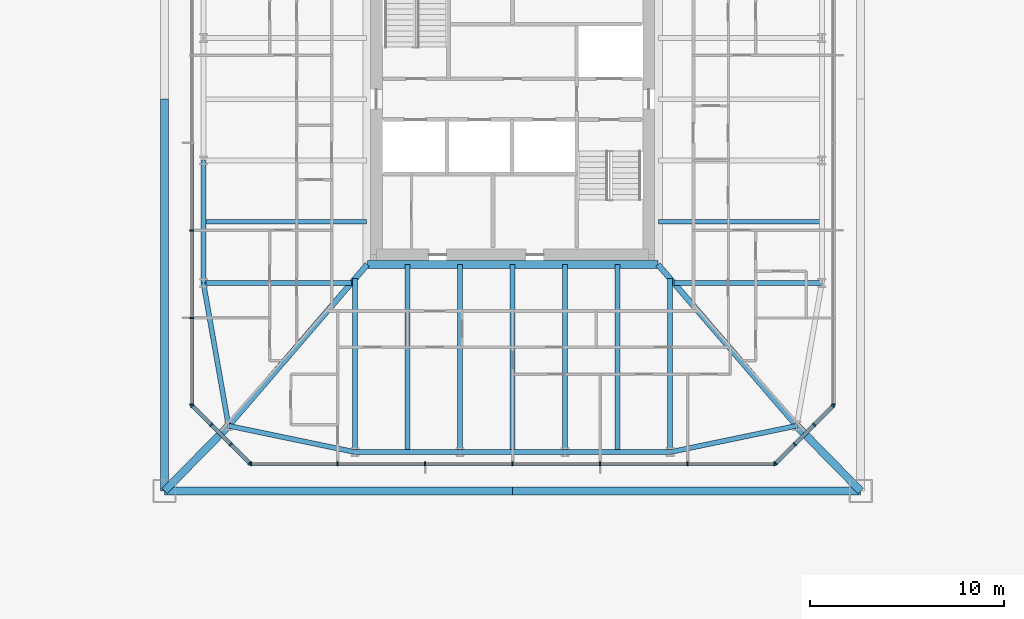
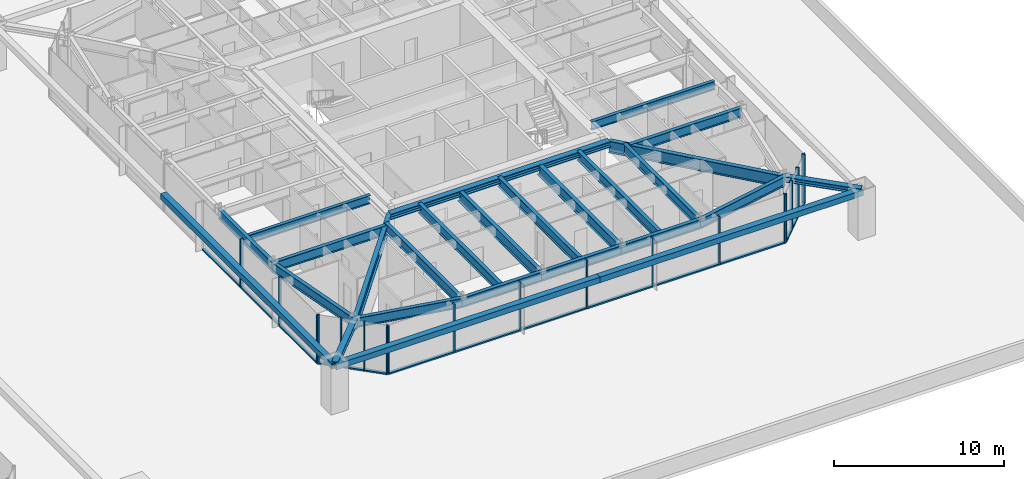
# One storey, part 9 of 31: 39 members, 21 beams, 5 elements without a shape of their own.
"""IFC4 building model written with IfcOpenShell, lengths in metres."""

from ifc_helpers import new_model, si_unit, direction, frame, origin, origin_2d, place, context, subcontext, project, spatial, rectangle, hollow_rectangle, i_section, extrude, material, material_profile, profile_set, type_object, element, aggregate, save


model = new_model("IFC4")

# Units and contexts
model_context = context("Model", 3, precision=1e-05, world=origin(), true_north=direction((0.0, 1.0)))
body_context = subcontext(model_context, "Body", "Model", "MODEL_VIEW")
ifc_project = project(units=[si_unit("LENGTHUNIT", "METRE"), si_unit("AREAUNIT", "SQUARE_METRE"), si_unit("VOLUMEUNIT", "CUBIC_METRE"), si_unit("PLANEANGLEUNIT", "RADIAN"), si_unit("MASSUNIT", "GRAM", prefix="KILO")], contexts=[model_context])

# Site, building, storey
site_placement = place(None, origin())
site = spatial("IfcSite", under=ifc_project, at=site_placement, CompositionType="ELEMENT")
building_placement = place(site_placement, origin())
building = spatial("IfcBuilding", under=site, at=building_placement, Name="Iwan Alto Co-Living Towers", CompositionType="ELEMENT")
storey_placement = place(building_placement, frame((0.0, 0.0, 15.0)))
storey = spatial("IfcBuildingStorey", under=building, at=storey_placement, Name="L03", CompositionType="ELEMENT", Elevation=15.0)

# Curtain wall, members
ifc_material_1 = material(Name="Bronze aluminium unitised frame", Category="aluminium")
curtain_wall_type_1 = type_object("IfcCurtainWallType", Name="CURTAIN WALL CW-C", PredefinedType="NOTDEFINED", material=ifc_material_1)
curtain_wall_1_placement = place(storey_placement, origin())
curtain_wall_1 = element("IfcCurtainWall", 1, at=curtain_wall_1_placement, inside=storey, type_object=curtain_wall_type_1, Name="T2 curtain wall S L03", PredefinedType="NOTDEFINED")
ifc_material_2 = material(Name="Aluminium 6063-T6 bronze anodised", Category="aluminium")
ifc_material_profile_1 = material_profile(ifc_material_2, rectangle(XDim=0.199951171875, YDim=0.080078125, at=origin_2d()), Name="AL 80X200")
ifc_profile_set_1 = profile_set([ifc_material_profile_1], Name="Aluminium 6063-T6 bronze anodised")
member_type_1 = type_object("IfcMemberType", Name="CW-C MULLION 80X200", PredefinedType="MULLION", material=ifc_profile_set_1)
member_1_placement = place(storey_placement, frame((49.5400390625, -18.75, 0.0), z_axis=(0.0, 0.0, 1.0), x_axis=(0.0, 1.0, 0.0)))
member_1 = element("IfcMember", 2, at=member_1_placement, type_object=member_type_1, Name="CW-C mullion 1", PredefinedType="MULLION", context=body_context, shape_type="SweptSolid", body=[
    extrude(rectangle(XDim=0.199951171875, YDim=0.080078125, at=origin_2d()), origin(), (0.0, 0.0, 1.0), 3.5),
])
member_2_placement = place(storey_placement, frame((54.0, -18.75, 0.0), z_axis=(0.0, 0.0, 1.0), x_axis=(0.0, 1.0, 0.0)))
member_2 = element("IfcMember", 3, at=member_2_placement, type_object=member_type_1, Name="CW-C mullion 2", PredefinedType="MULLION", context=body_context, shape_type="SweptSolid", body=[
    extrude(rectangle(XDim=0.199951171875, YDim=0.080078125, at=origin_2d()), origin(), (0.0, 0.0, 1.0), 3.5),
])
member_3_placement = place(storey_placement, frame((58.5, -18.75, 0.0), z_axis=(0.0, 0.0, 1.0), x_axis=(0.0, 1.0, 0.0)))
member_3 = element("IfcMember", 4, at=member_3_placement, type_object=member_type_1, Name="CW-C mullion 3", PredefinedType="MULLION", context=body_context, shape_type="SweptSolid", body=[
    extrude(rectangle(XDim=0.199951171875, YDim=0.080078125, at=origin_2d()), origin(), (0.0, 0.0, 1.0), 3.5),
])
member_4_placement = place(storey_placement, frame((63.0, -18.75, 0.0), z_axis=(0.0, 0.0, 1.0), x_axis=(0.0, 1.0, 0.0)))
member_4 = element("IfcMember", 5, at=member_4_placement, type_object=member_type_1, Name="CW-C mullion 4", PredefinedType="MULLION", context=body_context, shape_type="SweptSolid", body=[
    extrude(rectangle(XDim=0.199951171875, YDim=0.080078125, at=origin_2d()), origin(), (0.0, 0.0, 1.0), 3.5),
])
member_5_placement = place(storey_placement, frame((67.5, -18.75, 0.0), z_axis=(0.0, 0.0, 1.0), x_axis=(0.0, 1.0, 0.0)))
member_5 = element("IfcMember", 6, at=member_5_placement, type_object=member_type_1, Name="CW-C mullion 5", PredefinedType="MULLION", context=body_context, shape_type="SweptSolid", body=[
    extrude(rectangle(XDim=0.199951171875, YDim=0.080078125, at=origin_2d()), origin(), (0.0, 0.0, 1.0), 3.5),
])
member_6_placement = place(storey_placement, frame((72.0, -18.75, 0.0), z_axis=(0.0, 0.0, 1.0), x_axis=(0.0, 1.0, 0.0)))
member_6 = element("IfcMember", 7, at=member_6_placement, type_object=member_type_1, Name="CW-C mullion 6", PredefinedType="MULLION", context=body_context, shape_type="SweptSolid", body=[
    extrude(rectangle(XDim=0.199951171875, YDim=0.080078125, at=origin_2d()), origin(), (0.0, 0.0, 1.0), 3.5),
])
member_7_placement = place(storey_placement, frame((76.4599609375, -18.75, 0.0), z_axis=(0.0, 0.0, 1.0), x_axis=(0.0, 1.0, 0.0)))
member_7 = element("IfcMember", 8, at=member_7_placement, type_object=member_type_1, Name="CW-C mullion 7", PredefinedType="MULLION", context=body_context, shape_type="SweptSolid", body=[
    extrude(rectangle(XDim=0.199951171875, YDim=0.080078125, at=origin_2d()), origin(), (0.0, 0.0, 1.0), 3.5),
])

# Curtain wall, member
curtain_wall_2_placement = place(storey_placement, origin())
curtain_wall_2 = element("IfcCurtainWall", 9, at=curtain_wall_2_placement, inside=storey, type_object=curtain_wall_type_1, Name="T2 curtain wall E L03", PredefinedType="NOTDEFINED")
member_8_placement = place(storey_placement, frame((79.5, -15.7099609375, 0.0), z_axis=(0.0, 0.0, 1.0), x_axis=(-1.0, 0.0, 0.0)))
member_8 = element("IfcMember", 10, at=member_8_placement, type_object=member_type_1, Name="CW-C mullion 1", PredefinedType="MULLION", context=body_context, shape_type="SweptSolid", body=[
    extrude(rectangle(XDim=0.199951171875, YDim=0.080078125, at=origin_2d()), origin(), (0.0, 0.0, 1.0), 3.5),
])
aggregate(curtain_wall_2, [member_8])

# Curtain wall, members
curtain_wall_3_placement = place(storey_placement, origin())
curtain_wall_3 = element("IfcCurtainWall", 11, at=curtain_wall_3_placement, inside=storey, type_object=curtain_wall_type_1, Name="T2 curtain wall W L03", PredefinedType="NOTDEFINED")
member_9_placement = place(storey_placement, frame((46.5, -6.75, 0.0), z_axis=(0.0, 0.0, 1.0), x_axis=(1.0, 0.0, 0.0)))
member_9 = element("IfcMember", 12, at=member_9_placement, type_object=member_type_1, Name="CW-C mullion 6", PredefinedType="MULLION", context=body_context, shape_type="SweptSolid", body=[
    extrude(rectangle(XDim=0.199951171875, YDim=0.080078125, at=origin_2d()), origin(), (0.0, 0.0, 1.0), 3.5),
])
member_10_placement = place(storey_placement, frame((46.5, -11.25, 0.0), z_axis=(0.0, 0.0, 1.0), x_axis=(1.0, 0.0, 0.0)))
member_10 = element("IfcMember", 13, at=member_10_placement, type_object=member_type_1, Name="CW-C mullion 7", PredefinedType="MULLION", context=body_context, shape_type="SweptSolid", body=[
    extrude(rectangle(XDim=0.199951171875, YDim=0.080078125, at=origin_2d()), origin(), (0.0, 0.0, 1.0), 3.5),
])
member_11_placement = place(storey_placement, frame((46.5, -15.7099609375, 0.0), z_axis=(0.0, 0.0, 1.0), x_axis=(1.0, 0.0, 0.0)))
member_11 = element("IfcMember", 14, at=member_11_placement, type_object=member_type_1, Name="CW-C mullion 8", PredefinedType="MULLION", context=body_context, shape_type="SweptSolid", body=[
    extrude(rectangle(XDim=0.199951171875, YDim=0.080078125, at=origin_2d()), origin(), (0.0, 0.0, 1.0), 3.5),
])

# Member
ifc_material_3 = material(Name="Aluminium 6063-T6 bronze anodised", Category="aluminium")
ifc_material_profile_2 = material_profile(ifc_material_3, rectangle(XDim=0.199951171875, YDim=0.10009765625, at=origin_2d()), Name="AL 200X100")
ifc_profile_set_2 = profile_set([ifc_material_profile_2], Name="Aluminium 6063-T6 bronze anodised")
member_type_2 = type_object("IfcMemberType", Name="CW-C TRANSOM 200X100", PredefinedType="USERDEFINED", material=ifc_profile_set_2)
member_12_placement = place(storey_placement, frame((49.580078125, -18.75, 0.050048828125), z_axis=(1.0, 0.0, 0.0), x_axis=(0.0, 1.0, 0.0)))
member_12 = element("IfcMember", 15, at=member_12_placement, type_object=member_type_2, Name="CW-C transom 1.1", ObjectType="TRANSOM", PredefinedType="USERDEFINED", context=body_context, shape_type="SweptSolid", body=[
    extrude(rectangle(XDim=0.199951171875, YDim=0.10009765625, at=origin_2d()), origin(), (0.0, 0.0, 1.0), 4.3798828125),
])

member_13_placement = place(storey_placement, frame((54.0400390625, -18.75, 0.050048828125), z_axis=(1.0, 0.0, 0.0), x_axis=(0.0, 1.0, 0.0)))
member_13 = element("IfcMember", 16, at=member_13_placement, type_object=member_type_2, Name="CW-C transom 2.1", ObjectType="TRANSOM", PredefinedType="USERDEFINED", context=body_context, shape_type="SweptSolid", body=[
    extrude(rectangle(XDim=0.199951171875, YDim=0.10009765625, at=origin_2d()), origin(), (0.0, 0.0, 1.0), 4.419921875),
])

member_14_placement = place(storey_placement, frame((58.5400390625, -18.75, 0.050048828125), z_axis=(1.0, 0.0, 0.0), x_axis=(0.0, 1.0, 0.0)))
member_14 = element("IfcMember", 17, at=member_14_placement, type_object=member_type_2, Name="CW-C transom 3.1", ObjectType="TRANSOM", PredefinedType="USERDEFINED", context=body_context, shape_type="SweptSolid", body=[
    extrude(rectangle(XDim=0.199951171875, YDim=0.10009765625, at=origin_2d()), origin(), (0.0, 0.0, 1.0), 4.419921875),
])

member_15_placement = place(storey_placement, frame((63.0400390625, -18.75, 0.050048828125), z_axis=(1.0, 0.0, 0.0), x_axis=(0.0, 1.0, 0.0)))
member_15 = element("IfcMember", 18, at=member_15_placement, type_object=member_type_2, Name="CW-C transom 4.1", ObjectType="TRANSOM", PredefinedType="USERDEFINED", context=body_context, shape_type="SweptSolid", body=[
    extrude(rectangle(XDim=0.199951171875, YDim=0.10009765625, at=origin_2d()), origin(), (0.0, 0.0, 1.0), 4.419921875),
])

member_16_placement = place(storey_placement, frame((67.5400390625, -18.75, 0.050048828125), z_axis=(1.0, 0.0, 0.0), x_axis=(0.0, 1.0, 0.0)))
member_16 = element("IfcMember", 19, at=member_16_placement, type_object=member_type_2, Name="CW-C transom 5.1", ObjectType="TRANSOM", PredefinedType="USERDEFINED", context=body_context, shape_type="SweptSolid", body=[
    extrude(rectangle(XDim=0.199951171875, YDim=0.10009765625, at=origin_2d()), origin(), (0.0, 0.0, 1.0), 4.419921875),
])

member_17_placement = place(storey_placement, frame((72.0400390625, -18.75, 0.050048828125), z_axis=(1.0, 0.0, 0.0), x_axis=(0.0, 1.0, 0.0)))
member_17 = element("IfcMember", 20, at=member_17_placement, type_object=member_type_2, Name="CW-C transom 6.1", ObjectType="TRANSOM", PredefinedType="USERDEFINED", context=body_context, shape_type="SweptSolid", body=[
    extrude(rectangle(XDim=0.199951171875, YDim=0.10009765625, at=origin_2d()), origin(), (0.0, 0.0, 1.0), 4.3798828125),
])

aggregate(curtain_wall_1, [member_1, member_2, member_3, member_4, member_5, member_6, member_7, member_12, member_13, member_14, member_15, member_16, member_17])

member_18_placement = place(storey_placement, frame((46.5, -2.2900390625, 0.050048828125), z_axis=(0.0, -1.0, 0.0), x_axis=(1.0, 0.0, 0.0)))
member_18 = element("IfcMember", 21, at=member_18_placement, type_object=member_type_2, Name="CW-C transom 5.1", ObjectType="TRANSOM", PredefinedType="USERDEFINED", context=body_context, shape_type="SweptSolid", body=[
    extrude(rectangle(XDim=0.199951171875, YDim=0.10009765625, at=origin_2d()), origin(), (0.0, 0.0, 1.0), 4.419921875),
])

member_19_placement = place(storey_placement, frame((46.5, -6.7900390625, 0.050048828125), z_axis=(0.0, -1.0, 0.0), x_axis=(1.0, 0.0, 0.0)))
member_19 = element("IfcMember", 22, at=member_19_placement, type_object=member_type_2, Name="CW-C transom 6.1", ObjectType="TRANSOM", PredefinedType="USERDEFINED", context=body_context, shape_type="SweptSolid", body=[
    extrude(rectangle(XDim=0.199951171875, YDim=0.10009765625, at=origin_2d()), origin(), (0.0, 0.0, 1.0), 4.419921875),
])

member_20_placement = place(storey_placement, frame((46.5, -11.2900390625, 0.050048828125), z_axis=(0.0, -1.0, 0.0), x_axis=(1.0, 0.0, 0.0)))
member_20 = element("IfcMember", 23, at=member_20_placement, type_object=member_type_2, Name="CW-C transom 7.1", ObjectType="TRANSOM", PredefinedType="USERDEFINED", context=body_context, shape_type="SweptSolid", body=[
    extrude(rectangle(XDim=0.199951171875, YDim=0.10009765625, at=origin_2d()), origin(), (0.0, 0.0, 1.0), 4.3798828125),
])

aggregate(curtain_wall_3, [member_9, member_10, member_11, member_18, member_19, member_20])

# Curtain wall, members
ifc_material_4 = material(Name="Bronze aluminium unitised frame", Category="aluminium")
curtain_wall_type_2 = type_object("IfcCurtainWallType", Name="CURTAIN WALL CW-D", PredefinedType="NOTDEFINED", material=ifc_material_4)
curtain_wall_4_placement = place(storey_placement, origin())
curtain_wall_4 = element("IfcCurtainWall", 24, at=curtain_wall_4_placement, inside=storey, type_object=curtain_wall_type_2, Name="T2 chamfer curtain wall SE L03", PredefinedType="NOTDEFINED")
ifc_material_5 = material(Name="Aluminium 6063-T6 bronze anodised", Category="aluminium")
ifc_material_profile_3 = material_profile(ifc_material_5, rectangle(XDim=0.199951171875, YDim=0.080078125, at=origin_2d()), Name="AL 80X200")
ifc_profile_set_3 = profile_set([ifc_material_profile_3], Name="Aluminium 6063-T6 bronze anodised")
member_type_3 = type_object("IfcMemberType", Name="CW-D MULLION 80X200", PredefinedType="MULLION", material=ifc_profile_set_3)
member_21_placement = place(storey_placement, frame((76.5283203125, -18.7216796875, 0.0), z_axis=(0.0, 0.0, 1.0), x_axis=(-0.707106781187, 0.707106781187, 0.0)))
member_21 = element("IfcMember", 25, at=member_21_placement, type_object=member_type_3, Name="CW-D mullion 1", PredefinedType="MULLION", context=body_context, shape_type="SweptSolid", body=[
    extrude(rectangle(XDim=0.199951171875, YDim=0.080078125, at=origin_2d()), origin(), (0.0, 0.0, 1.0), 3.5),
])
member_22_placement = place(storey_placement, frame((77.5, -17.75, 0.0), z_axis=(0.0, 0.0, 1.0), x_axis=(-0.707106781187, 0.707106781187, 0.0)))
member_22 = element("IfcMember", 26, at=member_22_placement, type_object=member_type_3, Name="CW-D mullion 2", PredefinedType="MULLION", context=body_context, shape_type="SweptSolid", body=[
    extrude(rectangle(XDim=0.199951171875, YDim=0.080078125, at=origin_2d()), origin(), (0.0, 0.0, 1.0), 3.5),
])
member_23_placement = place(storey_placement, frame((78.5, -16.75, 0.0), z_axis=(0.0, 0.0, 1.0), x_axis=(-0.707106781187, 0.707106781187, 0.0)))
member_23 = element("IfcMember", 27, at=member_23_placement, type_object=member_type_3, Name="CW-D mullion 3", PredefinedType="MULLION", context=body_context, shape_type="SweptSolid", body=[
    extrude(rectangle(XDim=0.199951171875, YDim=0.080078125, at=origin_2d()), origin(), (0.0, 0.0, 1.0), 3.5),
])
member_24_placement = place(storey_placement, frame((79.4716796875, -15.7783203125, 0.0), z_axis=(0.0, 0.0, 1.0), x_axis=(-0.707106781187, 0.707106781187, 0.0)))
member_24 = element("IfcMember", 28, at=member_24_placement, type_object=member_type_3, Name="CW-D mullion 4", PredefinedType="MULLION", context=body_context, shape_type="SweptSolid", body=[
    extrude(rectangle(XDim=0.199951171875, YDim=0.080078125, at=origin_2d()), origin(), (0.0, 0.0, 1.0), 3.5),
])

curtain_wall_5_placement = place(storey_placement, origin())
curtain_wall_5 = element("IfcCurtainWall", 29, at=curtain_wall_5_placement, inside=storey, type_object=curtain_wall_type_2, Name="T2 chamfer curtain wall SW L03", PredefinedType="NOTDEFINED")
member_25_placement = place(storey_placement, frame((46.5283203125, -15.7783203125, 0.0), z_axis=(0.0, 0.0, 1.0), x_axis=(0.707106781187, 0.707106781187, 0.0)))
member_25 = element("IfcMember", 30, at=member_25_placement, type_object=member_type_3, Name="CW-D mullion 1", PredefinedType="MULLION", context=body_context, shape_type="SweptSolid", body=[
    extrude(rectangle(XDim=0.199951171875, YDim=0.080078125, at=origin_2d()), origin(), (0.0, 0.0, 1.0), 3.5),
])
member_26_placement = place(storey_placement, frame((47.5, -16.75, 0.0), z_axis=(0.0, 0.0, 1.0), x_axis=(0.707106781187, 0.707106781187, 0.0)))
member_26 = element("IfcMember", 31, at=member_26_placement, type_object=member_type_3, Name="CW-D mullion 2", PredefinedType="MULLION", context=body_context, shape_type="SweptSolid", body=[
    extrude(rectangle(XDim=0.199951171875, YDim=0.080078125, at=origin_2d()), origin(), (0.0, 0.0, 1.0), 3.5),
])
member_27_placement = place(storey_placement, frame((48.5, -17.75, 0.0), z_axis=(0.0, 0.0, 1.0), x_axis=(0.707106781187, 0.707106781187, 0.0)))
member_27 = element("IfcMember", 32, at=member_27_placement, type_object=member_type_3, Name="CW-D mullion 3", PredefinedType="MULLION", context=body_context, shape_type="SweptSolid", body=[
    extrude(rectangle(XDim=0.199951171875, YDim=0.080078125, at=origin_2d()), origin(), (0.0, 0.0, 1.0), 3.5),
])
member_28_placement = place(storey_placement, frame((49.4716796875, -18.7216796875, 0.0), z_axis=(0.0, 0.0, 1.0), x_axis=(0.707106781187, 0.707106781187, 0.0)))
member_28 = element("IfcMember", 33, at=member_28_placement, type_object=member_type_3, Name="CW-D mullion 4", PredefinedType="MULLION", context=body_context, shape_type="SweptSolid", body=[
    extrude(rectangle(XDim=0.199951171875, YDim=0.080078125, at=origin_2d()), origin(), (0.0, 0.0, 1.0), 3.5),
])

# Member
ifc_material_6 = material(Name="Aluminium 6063-T6 bronze anodised", Category="aluminium")
ifc_material_profile_4 = material_profile(ifc_material_6, rectangle(XDim=0.199951171875, YDim=0.10009765625, at=origin_2d()), Name="AL 200X100")
ifc_profile_set_4 = profile_set([ifc_material_profile_4], Name="Aluminium 6063-T6 bronze anodised")
member_type_4 = type_object("IfcMemberType", Name="CW-D TRANSOM 200X100", PredefinedType="USERDEFINED", material=ifc_profile_set_4)
member_29_placement = place(storey_placement, frame((76.556640625, -18.693359375, 0.050048828125), z_axis=(0.707106781187, 0.707106781187, 0.0), x_axis=(-0.707106781187, 0.707106781187, 0.0)))
member_29 = element("IfcMember", 34, at=member_29_placement, type_object=member_type_4, Name="CW-D transom 1.1", ObjectType="TRANSOM", PredefinedType="USERDEFINED", context=body_context, shape_type="SweptSolid", body=[
    extrude(rectangle(XDim=0.199951171875, YDim=0.10009765625, at=origin_2d()), origin(), (0.0, 0.0, 1.0), 1.2939453125),
])

member_30_placement = place(storey_placement, frame((77.5283203125, -17.7216796875, 0.050048828125), z_axis=(0.707106781187, 0.707106781187, 0.0), x_axis=(-0.707106781187, 0.707106781187, 0.0)))
member_30 = element("IfcMember", 35, at=member_30_placement, type_object=member_type_4, Name="CW-D transom 2.1", ObjectType="TRANSOM", PredefinedType="USERDEFINED", context=body_context, shape_type="SweptSolid", body=[
    extrude(rectangle(XDim=0.199951171875, YDim=0.10009765625, at=origin_2d()), origin(), (0.0, 0.0, 1.0), 1.334228515625),
])

member_31_placement = place(storey_placement, frame((78.5283203125, -16.7216796875, 0.050048828125), z_axis=(0.707106781187, 0.707106781187, 0.0), x_axis=(-0.707106781187, 0.707106781187, 0.0)))
member_31 = element("IfcMember", 36, at=member_31_placement, type_object=member_type_4, Name="CW-D transom 3.1", ObjectType="TRANSOM", PredefinedType="USERDEFINED", context=body_context, shape_type="SweptSolid", body=[
    extrude(rectangle(XDim=0.199951171875, YDim=0.10009765625, at=origin_2d()), origin(), (0.0, 0.0, 1.0), 1.2939453125),
])

aggregate(curtain_wall_4, [member_21, member_22, member_23, member_24, member_29, member_30, member_31])

member_32_placement = place(storey_placement, frame((46.556640625, -15.806640625, 0.050048828125), z_axis=(0.707106781187, -0.707106781187, 0.0), x_axis=(0.707106781187, 0.707106781187, 0.0)))
member_32 = element("IfcMember", 37, at=member_32_placement, type_object=member_type_4, Name="CW-D transom 1.1", ObjectType="TRANSOM", PredefinedType="USERDEFINED", context=body_context, shape_type="SweptSolid", body=[
    extrude(rectangle(XDim=0.199951171875, YDim=0.10009765625, at=origin_2d()), origin(), (0.0, 0.0, 1.0), 1.2939453125),
])

member_33_placement = place(storey_placement, frame((47.5283203125, -16.7783203125, 0.050048828125), z_axis=(0.707106781187, -0.707106781187, 0.0), x_axis=(0.707106781187, 0.707106781187, 0.0)))
member_33 = element("IfcMember", 38, at=member_33_placement, type_object=member_type_4, Name="CW-D transom 2.1", ObjectType="TRANSOM", PredefinedType="USERDEFINED", context=body_context, shape_type="SweptSolid", body=[
    extrude(rectangle(XDim=0.199951171875, YDim=0.10009765625, at=origin_2d()), origin(), (0.0, 0.0, 1.0), 1.334228515625),
])

member_34_placement = place(storey_placement, frame((48.5283203125, -17.7783203125, 0.050048828125), z_axis=(0.707106781187, -0.707106781187, 0.0), x_axis=(0.707106781187, 0.707106781187, 0.0)))
member_34 = element("IfcMember", 39, at=member_34_placement, type_object=member_type_4, Name="CW-D transom 3.1", ObjectType="TRANSOM", PredefinedType="USERDEFINED", context=body_context, shape_type="SweptSolid", body=[
    extrude(rectangle(XDim=0.199951171875, YDim=0.10009765625, at=origin_2d()), origin(), (0.0, 0.0, 1.0), 1.2939453125),
])

aggregate(curtain_wall_5, [member_25, member_26, member_27, member_28, member_32, member_33, member_34])

# Beams
ifc_material_7 = material(Name="Steel ASTM A992 Gr 50", Category="steel")
ifc_material_profile_5 = material_profile(ifc_material_7, i_section(OverallWidth=0.40380859375, OverallDepth=0.406494140625, WebThickness=0.027099609375, FlangeThickness=0.043701171875, at=origin_2d()), Name="W14X233")
ifc_profile_set_5 = profile_set([ifc_material_profile_5], Name="Steel ASTM A992 Gr 50")
beam_type_1 = type_object("IfcBeamType", Name="T2 CORE LEDGER BEAM W14X233", PredefinedType="BEAM", material=ifc_profile_set_5)
beam_1_placement = place(storey_placement, frame((55.5263671875, -8.501953125, 3.06689453125), z_axis=(1.0, 0.0, 0.0), x_axis=(0.0, 1.0, 0.0)))
element("IfcBeam", 40, at=beam_1_placement, inside=storey, type_object=beam_type_1, Name="T2 core ledger beam S L04", PredefinedType="BEAM", context=body_context, shape_type="SweptSolid", body=[
    extrude(i_section(OverallWidth=0.40380859375, OverallDepth=0.406494140625, WebThickness=0.027099609375, FlangeThickness=0.043701171875, at=origin_2d()), origin(), (0.0, 0.0, 1.0), 14.947265625),
])
ifc_material_8 = material(Name="Steel ASTM A992 Gr 50", Category="steel")
ifc_material_profile_6 = material_profile(ifc_material_8, i_section(OverallWidth=0.2919921875, OverallDepth=0.8408203125, WebThickness=0.0146484375, FlangeThickness=0.021728515625, at=origin_2d()), Name="W33X130")
ifc_profile_set_6 = profile_set([ifc_material_profile_6], Name="Steel ASTM A992 Gr 50")
beam_type_2 = type_object("IfcBeamType", Name="T2 CORNER GIRDER W33X130", PredefinedType="BEAM", material=ifc_profile_set_6)
for number, where, z_axis, x_axis, name in (
    (41, (48.393798828125, -16.797119140625, 2.849609375), (0.651972301827, 0.758242782788, 0.0), (-0.758242782788, 0.651972301827, 0.0), "T2 corner girder CSW L04"),
    (42, (77.606201171875, -16.797119140625, 2.849609375), (-0.651972301827, 0.758242782788, 0.0), (-0.758242782788, -0.651972301827, 0.0), "T2 corner girder CSE L04"),
):
    element("IfcBeam", number, at=place(storey_placement, frame(where, z_axis=z_axis, x_axis=x_axis)), inside=storey, type_object=beam_type_2, Name=name, PredefinedType="BEAM", context=body_context, shape_type="SweptSolid", body=[
        extrude(i_section(OverallWidth=0.2919921875, OverallDepth=0.8408203125, WebThickness=0.0146484375, FlangeThickness=0.021728515625, at=origin_2d()), origin(), (0.0, 0.0, 1.0), 10.93994140625),
    ])
ifc_material_9 = material(Name="Steel ASTM A992 Gr 50", Category="steel")
ifc_material_profile_7 = material_profile(ifc_material_9, i_section(OverallWidth=0.25390625, OverallDepth=0.683349609375, WebThickness=0.012451171875, FlangeThickness=0.018798828125, at=origin_2d()), Name="W27X94")
ifc_profile_set_7 = profile_set([ifc_material_profile_7], Name="Steel ASTM A992 Gr 50")
beam_type_3 = type_object("IfcBeamType", Name="T2 EDGE BEAM W27X94", PredefinedType="BEAM", material=ifc_profile_set_7)
beam_2_placement = place(storey_placement, frame((48.393798828125, -16.797119140625, 2.928466796875), z_axis=(0.979060119423, -0.203571320564, 0.0), x_axis=(0.203571320564, 0.979060119423, 0.0)))
element("IfcBeam", 43, at=beam_2_placement, inside=storey, type_object=beam_type_3, Name="T2 edge beam CSW L04", PredefinedType="BEAM", context=body_context, shape_type="SweptSolid", body=[
    extrude(i_section(OverallWidth=0.25390625, OverallDepth=0.683349609375, WebThickness=0.012451171875, FlangeThickness=0.018798828125, at=origin_2d()), origin(), (0.0, 0.0, 1.0), 6.645263671875),
])
beam_3_placement = place(storey_placement, frame((54.89990234375, -18.14990234375, 2.928466796875), z_axis=(1.0, 0.0, 0.0), x_axis=(0.0, 1.0, 0.0)))
element("IfcBeam", 44, at=beam_3_placement, inside=storey, type_object=beam_type_3, Name="T2 edge beam S1 L04", PredefinedType="BEAM", context=body_context, shape_type="SweptSolid", body=[
    extrude(i_section(OverallWidth=0.25390625, OverallDepth=0.683349609375, WebThickness=0.012451171875, FlangeThickness=0.018798828125, at=origin_2d()), origin(), (0.0, 0.0, 1.0), 5.400146484375),
])
beam_4_placement = place(storey_placement, frame((60.300048828125, -18.14990234375, 2.928466796875), z_axis=(1.0, 0.0, 0.0), x_axis=(0.0, 1.0, 0.0)))
element("IfcBeam", 45, at=beam_4_placement, inside=storey, type_object=beam_type_3, Name="T2 edge beam S2 L04", PredefinedType="BEAM", context=body_context, shape_type="SweptSolid", body=[
    extrude(i_section(OverallWidth=0.25390625, OverallDepth=0.683349609375, WebThickness=0.012451171875, FlangeThickness=0.018798828125, at=origin_2d()), origin(), (0.0, 0.0, 1.0), 5.39990234375),
])
beam_5_placement = place(storey_placement, frame((65.699951171875, -18.14990234375, 2.928466796875), z_axis=(1.0, 0.0, 0.0), x_axis=(0.0, 1.0, 0.0)))
element("IfcBeam", 46, at=beam_5_placement, inside=storey, type_object=beam_type_3, Name="T2 edge beam S3 L04", PredefinedType="BEAM", context=body_context, shape_type="SweptSolid", body=[
    extrude(i_section(OverallWidth=0.25390625, OverallDepth=0.683349609375, WebThickness=0.012451171875, FlangeThickness=0.018798828125, at=origin_2d()), origin(), (0.0, 0.0, 1.0), 5.400146484375),
])
beam_6_placement = place(storey_placement, frame((71.10009765625, -18.14990234375, 2.928466796875), z_axis=(0.979060119423, 0.203571320564, 0.0), x_axis=(-0.203571320564, 0.979060119423, 0.0)))
element("IfcBeam", 47, at=beam_6_placement, inside=storey, type_object=beam_type_3, Name="T2 edge beam S4 L04", PredefinedType="BEAM", context=body_context, shape_type="SweptSolid", body=[
    extrude(i_section(OverallWidth=0.25390625, OverallDepth=0.683349609375, WebThickness=0.012451171875, FlangeThickness=0.018798828125, at=origin_2d()), origin(), (0.0, 0.0, 1.0), 6.645263671875),
])
beam_7_placement = place(storey_placement, frame((47.10009765625, -3.14990234375, 2.928466796875), z_axis=(0.0, -1.0, 0.0), x_axis=(1.0, 0.0, 0.0)))
element("IfcBeam", 48, at=beam_7_placement, inside=storey, type_object=beam_type_3, Name="T2 edge beam W3 L04", PredefinedType="BEAM", context=body_context, shape_type="SweptSolid", body=[
    extrude(i_section(OverallWidth=0.25390625, OverallDepth=0.683349609375, WebThickness=0.012451171875, FlangeThickness=0.018798828125, at=origin_2d()), origin(), (0.0, 0.0, 1.0), 6.300048828125),
])
beam_8_placement = place(storey_placement, frame((47.10009765625, -9.449951171875, 2.928466796875), z_axis=(0.173413807283, -0.98484905008, 0.0), x_axis=(0.98484905008, 0.173413807283, 0.0)))
element("IfcBeam", 49, at=beam_8_placement, inside=storey, type_object=beam_type_3, Name="T2 edge beam W4 L04", PredefinedType="BEAM", context=body_context, shape_type="SweptSolid", body=[
    extrude(i_section(OverallWidth=0.25390625, OverallDepth=0.683349609375, WebThickness=0.012451171875, FlangeThickness=0.018798828125, at=origin_2d()), origin(), (0.0, 0.0, 1.0), 7.460205078125),
])

# Members
ifc_material_10 = material(Name="Steel ASTM A992 Gr 50", Category="steel")
ifc_material_profile_8 = material_profile(ifc_material_10, i_section(OverallWidth=0.393798828125, OverallDepth=0.3759765625, WebThickness=0.017333984375, FlangeThickness=0.027587890625, at=origin_2d()), Name="W14X145")
ifc_profile_set_8 = profile_set([ifc_material_profile_8], Name="Steel ASTM A992 Gr 50")
member_type_5 = type_object("IfcMemberType", Name="T2 MEGA COLUMN FLOOR TIE W14X145", PredefinedType="STRUT", material=ifc_profile_set_8)
for number, where, z_axis, x_axis, name in (
    (50, (45.10009765625, -20.14990234375, 3.08203125), (0.700793469544, 0.71336422187, 0.0), (-0.71336422187, 0.700793469544, 0.0), "T2 mega column floor tie SW L04"),
    (51, (80.89990234375, -20.14990234375, 3.08203125), (-0.700793469544, 0.71336422187, 0.0), (-0.71336422187, -0.700793469544, 0.0), "T2 mega column floor tie SE L04"),
):
    element("IfcMember", number, at=place(storey_placement, frame(where, z_axis=z_axis, x_axis=x_axis)), inside=storey, type_object=member_type_5, Name=name, PredefinedType="STRUT", context=body_context, shape_type="SweptSolid", body=[
        extrude(i_section(OverallWidth=0.393798828125, OverallDepth=0.3759765625, WebThickness=0.017333984375, FlangeThickness=0.027587890625, at=origin_2d()), origin(), (0.0, 0.0, 1.0), 4.699951171875),
    ])
ifc_material_11 = material(Name="Steel ASTM A500 Gr C", Category="steel")
ifc_material_profile_9 = material_profile(ifc_material_11, hollow_rectangle(XDim=0.406494140625, YDim=0.406494140625, WallThickness=0.0146484375, at=origin_2d()), Name="HSS16X16X5/8")
ifc_profile_set_9 = profile_set([ifc_material_profile_9], Name="Steel ASTM A500 Gr C")
member_type_6 = type_object("IfcMemberType", Name="T2 MEGA TIE HSS16X16X5/8", PredefinedType="STRUT", material=ifc_profile_set_9)
for number, where, z_axis, x_axis, name in (
    (52, (45.10009765625, -20.14990234375, 3.0), (1.0, 0.0, 0.0), (0.0, 1.0, 0.0), "T2 mega tie Z1A S 1"),
    (53, (63.0, -20.14990234375, 3.0), (1.0, 0.0, 0.0), (0.0, 1.0, 0.0), "T2 mega tie Z1A S 2"),
):
    element("IfcMember", number, at=place(storey_placement, frame(where, z_axis=z_axis, x_axis=x_axis)), inside=storey, type_object=member_type_6, Name=name, PredefinedType="STRUT", context=body_context, shape_type="SweptSolid", body=[
        extrude(hollow_rectangle(XDim=0.406494140625, YDim=0.406494140625, WallThickness=0.0146484375, at=origin_2d()), origin(), (0.0, 0.0, 1.0), 17.89990234375),
    ])
member_35_placement = place(storey_placement, frame((45.10009765625, 0.0, 3.0), z_axis=(0.0, -1.0, 0.0), x_axis=(1.0, 0.0, 0.0)))
element("IfcMember", 54, at=member_35_placement, inside=storey, type_object=member_type_6, Name="T2 mega tie Z1A W 2", PredefinedType="STRUT", context=body_context, shape_type="SweptSolid", body=[
    extrude(hollow_rectangle(XDim=0.406494140625, YDim=0.406494140625, WallThickness=0.0146484375, at=origin_2d()), origin(), (0.0, 0.0, 1.0), 20.14990234375),
])

# Beams
ifc_material_12 = material(Name="Steel ASTM A992 Gr 50", Category="steel")
ifc_material_profile_10 = material_profile(ifc_material_12, i_section(OverallWidth=0.25390625, OverallDepth=0.683349609375, WebThickness=0.012451171875, FlangeThickness=0.018798828125, at=origin_2d()), Name="W27X94")
ifc_profile_set_10 = profile_set([ifc_material_profile_10], Name="Steel ASTM A992 Gr 50")
beam_type_4 = type_object("IfcBeamType", Name="T2 RADIAL BEAM W27X94", PredefinedType="BEAM", material=ifc_profile_set_10)
for number, where, z_axis, x_axis, name in (
    (55, (54.89990234375, -18.14990234375, 2.928466796875), (0.0, 1.0, 0.0), (-1.0, 0.0, 0.0), "T2 radial beam S1 L04"),
    (56, (71.10009765625, -18.14990234375, 2.928466796875), (0.0, 1.0, 0.0), (-1.0, 0.0, 0.0), "T2 radial beam S4 L04"),
):
    element("IfcBeam", number, at=place(storey_placement, frame(where, z_axis=z_axis, x_axis=x_axis)), inside=storey, type_object=beam_type_4, Name=name, PredefinedType="BEAM", context=body_context, shape_type="SweptSolid", body=[
        extrude(i_section(OverallWidth=0.25390625, OverallDepth=0.683349609375, WebThickness=0.012451171875, FlangeThickness=0.018798828125, at=origin_2d()), origin(), (0.0, 0.0, 1.0), 8.91943359375),
    ])
for number, where, z_axis, x_axis, name in (
    (57, (78.89990234375, -9.449951171875, 2.928466796875), (-1.0, 0.0, 0.0), (0.0, -1.0, 0.0), "T2 radial beam E1 L04"),
    (58, (47.10009765625, -9.449951171875, 2.928466796875), (1.0, 0.0, 0.0), (0.0, 1.0, 0.0), "T2 radial beam W4 L04"),
):
    element("IfcBeam", number, at=place(storey_placement, frame(where, z_axis=z_axis, x_axis=x_axis)), inside=storey, type_object=beam_type_4, Name=name, PredefinedType="BEAM", context=body_context, shape_type="SweptSolid", body=[
        extrude(i_section(OverallWidth=0.25390625, OverallDepth=0.683349609375, WebThickness=0.012451171875, FlangeThickness=0.018798828125, at=origin_2d()), origin(), (0.0, 0.0, 1.0), 7.611083984375),
    ])
ifc_material_13 = material(Name="Steel ASTM A992 Gr 50", Category="steel")
ifc_material_profile_11 = material_profile(ifc_material_13, i_section(OverallWidth=0.2666015625, OverallDepth=0.761962890625, WebThickness=0.014404296875, FlangeThickness=0.021484375, at=origin_2d()), Name="W30X116")
ifc_profile_set_11 = profile_set([ifc_material_profile_11], Name="Steel ASTM A992 Gr 50")
beam_type_5 = type_object("IfcBeamType", Name="T2 RADIAL BEAM W30X116", PredefinedType="BEAM", material=ifc_profile_set_11)
for number, where, z_axis, x_axis, name in (
    (59, (60.300048828125, -18.14990234375, 2.888916015625), (0.0, 1.0, 0.0), (-1.0, 0.0, 0.0), "T2 radial beam S2 L04"),
    (60, (65.699951171875, -18.14990234375, 2.888916015625), (0.0, 1.0, 0.0), (-1.0, 0.0, 0.0), "T2 radial beam S3 L04"),
):
    element("IfcBeam", number, at=place(storey_placement, frame(where, z_axis=z_axis, x_axis=x_axis)), inside=storey, type_object=beam_type_5, Name=name, PredefinedType="BEAM", context=body_context, shape_type="SweptSolid", body=[
        extrude(i_section(OverallWidth=0.2666015625, OverallDepth=0.761962890625, WebThickness=0.014404296875, FlangeThickness=0.021484375, at=origin_2d()), origin(), (0.0, 0.0, 1.0), 9.64794921875),
    ])
ifc_material_14 = material(Name="Steel ASTM A992 Gr 50", Category="steel")
ifc_material_profile_12 = material_profile(ifc_material_14, i_section(OverallWidth=0.228271484375, OverallDepth=0.607177734375, WebThickness=0.01123046875, FlangeThickness=0.017333984375, at=origin_2d()), Name="W24X76")
ifc_profile_set_12 = profile_set([ifc_material_profile_12], Name="Steel ASTM A992 Gr 50")
beam_type_6 = type_object("IfcBeamType", Name="T2 SECONDARY BEAM W24X76", PredefinedType="JOIST", material=ifc_profile_set_12)
for number, where, z_axis, x_axis, name in (
    (61, (78.89990234375, -6.300048828125, 2.966552734375), (-1.0, 0.0, 0.0), (0.0, -1.0, 0.0), "T2 secondary beam E1 L04"),
    (62, (47.10009765625, -6.300048828125, 2.966552734375), (1.0, 0.0, 0.0), (0.0, 1.0, 0.0), "T2 secondary beam W3 L04"),
):
    element("IfcBeam", number, at=place(storey_placement, frame(where, z_axis=z_axis, x_axis=x_axis)), inside=storey, type_object=beam_type_6, Name=name, PredefinedType="JOIST", context=body_context, shape_type="SweptSolid", body=[
        extrude(i_section(OverallWidth=0.228271484375, OverallDepth=0.607177734375, WebThickness=0.01123046875, FlangeThickness=0.017333984375, at=origin_2d()), origin(), (0.0, 0.0, 1.0), 8.39794921875),
    ])
ifc_material_15 = material(Name="Steel ASTM A992 Gr 50", Category="steel")
ifc_material_profile_13 = material_profile(ifc_material_15, i_section(OverallWidth=0.25390625, OverallDepth=0.683349609375, WebThickness=0.012451171875, FlangeThickness=0.018798828125, at=origin_2d()), Name="W27X94")
ifc_profile_set_13 = profile_set([ifc_material_profile_13], Name="Steel ASTM A992 Gr 50")
beam_type_7 = type_object("IfcBeamType", Name="T2 SECONDARY BEAM W27X94", PredefinedType="JOIST", material=ifc_profile_set_13)
for number, where, z_axis, x_axis, name in (
    (63, (57.60009765625, -18.14990234375, 2.928466796875), (0.0, 1.0, 0.0), (-1.0, 0.0, 0.0), "T2 secondary beam S1 L04"),
    (64, (63.0, -18.14990234375, 2.928466796875), (0.0, 1.0, 0.0), (-1.0, 0.0, 0.0), "T2 secondary beam S2 L04"),
    (65, (68.39990234375, -18.14990234375, 2.928466796875), (0.0, 1.0, 0.0), (-1.0, 0.0, 0.0), "T2 secondary beam S3 L04"),
):
    element("IfcBeam", number, at=place(storey_placement, frame(where, z_axis=z_axis, x_axis=x_axis)), inside=storey, type_object=beam_type_7, Name=name, PredefinedType="JOIST", context=body_context, shape_type="SweptSolid", body=[
        extrude(i_section(OverallWidth=0.25390625, OverallDepth=0.683349609375, WebThickness=0.012451171875, FlangeThickness=0.018798828125, at=origin_2d()), origin(), (0.0, 0.0, 1.0), 9.64794921875),
    ])

save(model, "model.ifc")
